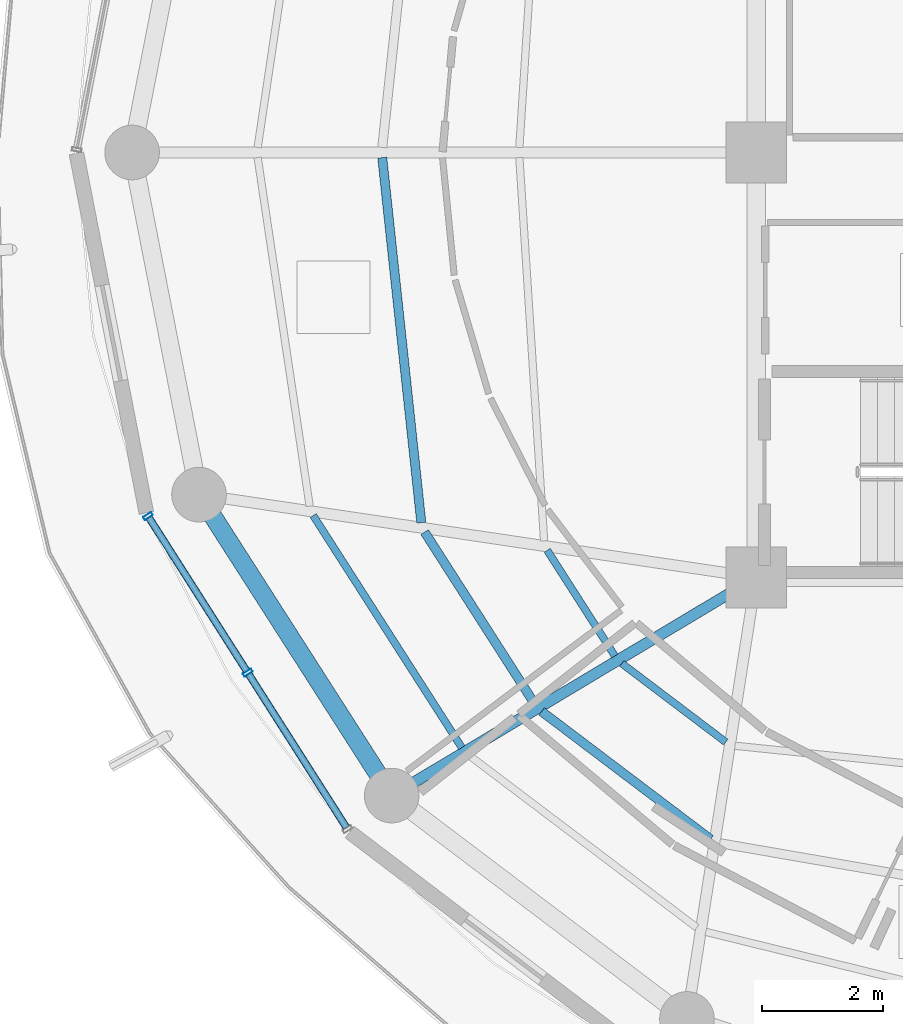
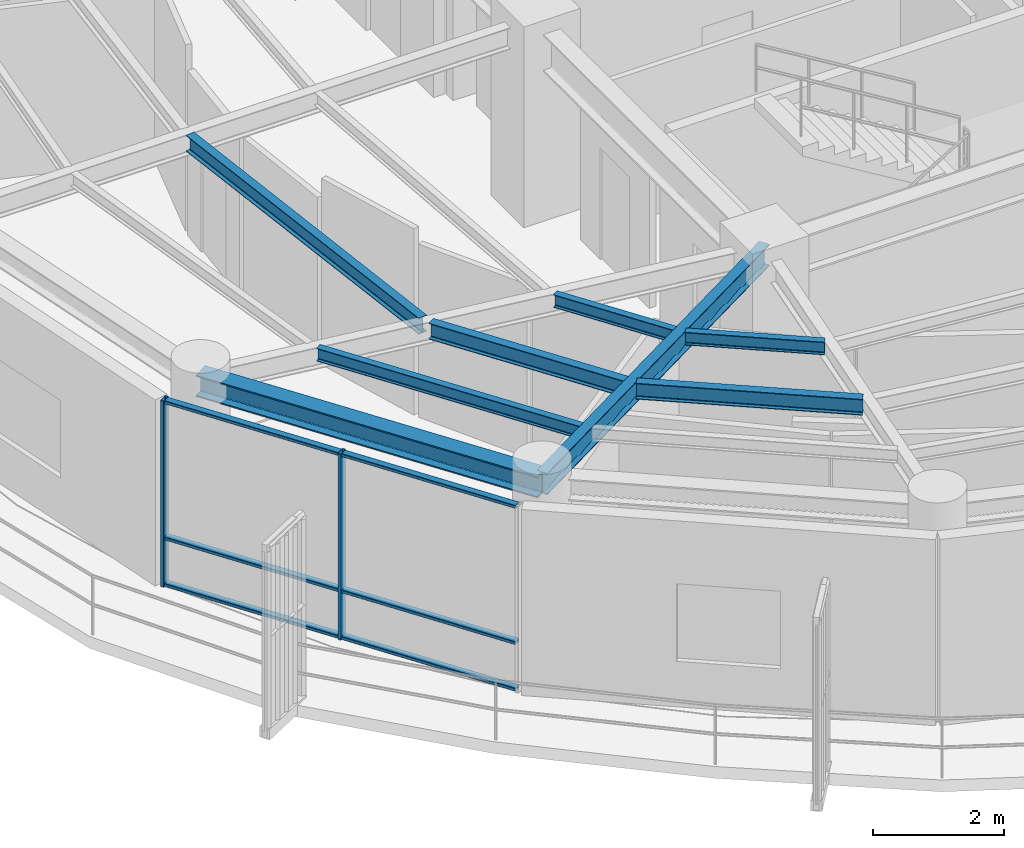
# One storey, part 3 of 23: 8 beams, 8 members, 1 element without a shape of its own.
"""IFC4 building model written with IfcOpenShell, lengths in metres."""

from ifc_helpers import new_model, si_unit, direction, frame, origin, origin_2d, place, context, subcontext, project, spatial, hollow_rectangle, i_section, extrude, material, layer, layer_set, material_profile, profile_set, type_object, element, aggregate, save


model = new_model("IFC4")

# Units and contexts
model_context = context("Model", 3, precision=1e-05, world=origin(), true_north=direction((0.0, 1.0)))
body_context = subcontext(model_context, "Body", "Model", "MODEL_VIEW")
ifc_project = project(units=[si_unit("LENGTHUNIT", "METRE"), si_unit("AREAUNIT", "SQUARE_METRE"), si_unit("VOLUMEUNIT", "CUBIC_METRE"), si_unit("PLANEANGLEUNIT", "RADIAN"), si_unit("MASSUNIT", "GRAM", prefix="KILO")], contexts=[model_context])

# Site, building, storey
site_placement = place(None, origin())
site = spatial("IfcSite", under=ifc_project, at=site_placement, CompositionType="ELEMENT")
building_placement = place(site_placement, origin())
building = spatial("IfcBuilding", under=site, at=building_placement, Name="Kelanora Arch Commons", CompositionType="ELEMENT")
storey_placement = place(building_placement, frame((0.0, 0.0, 286.199951171875)))
storey = spatial("IfcBuildingStorey", under=building, at=storey_placement, Name="L73", CompositionType="ELEMENT", Elevation=286.199951171875)

# Beams
ifc_material_1 = material(Name="Steel S355", Category="steel")
ifc_material_profile_1 = material_profile(ifc_material_1, i_section(OverallWidth=0.14990234375, OverallDepth=0.300048828125, WebThickness=0.007080078125, FlangeThickness=0.0107421875, FilletRadius=0.014892578125, at=origin_2d()), Name="IPE300")
ifc_profile_set_1 = profile_set([ifc_material_profile_1], Name="Steel S355")
beam_type_1 = type_object("IfcBeamType", Name="BM-JST-01", PredefinedType="JOIST", material=ifc_profile_set_1)
beam_1_placement = place(storey_placement, frame((59.841064453125, 57.91552734375, 3.340087890625), z_axis=(0.106380594087, -0.994325484538, 0.0), x_axis=(0.994325484538, 0.106380594087, 0.0)))
element("IfcBeam", 1, at=beam_1_placement, inside=storey, type_object=beam_type_1, Name="Secondary Chord Joist BJB-18 L73", PredefinedType="JOIST", context=body_context, shape_type="SweptSolid", body=[
    extrude(i_section(OverallWidth=0.14990234375, OverallDepth=0.300048828125, WebThickness=0.007080078125, FlangeThickness=0.0107421875, FilletRadius=0.014892578125, at=origin_2d()), origin(), (0.0, 0.0, 1.0), 6.04736328125),
])
beam_2_placement = place(storey_placement, frame((60.539306640625, 51.74658203125, 3.340087890625), z_axis=(0.539321586177, -0.842099891155, 0.0), x_axis=(0.842099891155, 0.539321586177, 0.0)))
element("IfcBeam", 2, at=beam_2_placement, inside=storey, type_object=beam_type_1, Name="Secondary Chord Joist BJB-20 L73", PredefinedType="JOIST", context=body_context, shape_type="SweptSolid", body=[
    extrude(i_section(OverallWidth=0.14990234375, OverallDepth=0.300048828125, WebThickness=0.007080078125, FlangeThickness=0.0107421875, FilletRadius=0.014892578125, at=origin_2d()), origin(), (0.0, 0.0, 1.0), 3.361572265625),
])
beam_3_placement = place(storey_placement, frame((62.4658203125, 48.79296875, 3.340087890625), z_axis=(0.797499198801, -0.603320004568, 0.0), x_axis=(0.603320004568, 0.797499198801, 0.0)))
element("IfcBeam", 3, at=beam_3_placement, inside=storey, type_object=beam_type_1, Name="Secondary Chord Joist BJB-22 L73", PredefinedType="JOIST", context=body_context, shape_type="SweptSolid", body=[
    extrude(i_section(OverallWidth=0.14990234375, OverallDepth=0.300048828125, WebThickness=0.007080078125, FlangeThickness=0.0107421875, FilletRadius=0.014892578125, at=origin_2d()), origin(), (0.0, 0.0, 1.0), 3.489013671875),
])
ifc_material_profile_2 = material_profile(ifc_material_1, i_section(OverallWidth=0.1201171875, OverallDepth=0.239990234375, WebThickness=0.006103515625, FlangeThickness=0.009765625, FilletRadius=0.014892578125, at=origin_2d()), Name="IPE240")
ifc_profile_set_2 = profile_set([ifc_material_profile_2], Name="Steel S355")
beam_type_2 = type_object("IfcBeamType", Name="BM-JST-02", PredefinedType="JOIST", material=ifc_profile_set_2)
beam_4_placement = place(storey_placement, frame((62.558349609375, 51.446533203125, 3.3701171875), z_axis=(0.539311810315, -0.842106152011, 0.0), x_axis=(0.842106152011, 0.539311810315, 0.0)))
element("IfcBeam", 4, at=beam_4_placement, inside=storey, type_object=beam_type_2, Name="Secondary Chord Joist BJA-20 L73", PredefinedType="JOIST", context=body_context, shape_type="SweptSolid", body=[
    extrude(i_section(OverallWidth=0.1201171875, OverallDepth=0.239990234375, WebThickness=0.006103515625, FlangeThickness=0.009765625, FilletRadius=0.014892578125, at=origin_2d()), origin(), (0.0, 0.0, 1.0), 2.06640625),
])
beam_5_placement = place(storey_placement, frame((58.703857421875, 52.019287109375, 3.3701171875), z_axis=(0.539288735289, -0.842120929552, 0.0), x_axis=(0.842120929552, 0.539288735289, 0.0)))
element("IfcBeam", 5, at=beam_5_placement, inside=storey, type_object=beam_type_2, Name="Secondary Chord Joist BJC-20 L73", PredefinedType="JOIST", context=body_context, shape_type="SweptSolid", body=[
    extrude(i_section(OverallWidth=0.1201171875, OverallDepth=0.239990234375, WebThickness=0.006103515625, FlangeThickness=0.009765625, FilletRadius=0.014892578125, at=origin_2d()), origin(), (0.0, 0.0, 1.0), 4.538818359375),
])
beam_6_placement = place(storey_placement, frame((63.78662109375, 49.583251953125, 3.3701171875), z_axis=(0.797509883882, -0.603305880222, 0.0), x_axis=(0.603305880222, 0.797509883882, 0.0)))
element("IfcBeam", 6, at=beam_6_placement, inside=storey, type_object=beam_type_2, Name="Secondary Chord Joist BJA-22 L73", PredefinedType="JOIST", context=body_context, shape_type="SweptSolid", body=[
    extrude(i_section(OverallWidth=0.1201171875, OverallDepth=0.239990234375, WebThickness=0.006103515625, FlangeThickness=0.009765625, FilletRadius=0.014892578125, at=origin_2d()), origin(), (0.0, 0.0, 1.0), 2.147216796875),
])
ifc_material_profile_3 = material_profile(ifc_material_1, i_section(OverallWidth=0.179931640625, OverallDepth=0.39990234375, WebThickness=0.008544921875, FlangeThickness=0.013427734375, FilletRadius=0.02099609375, at=origin_2d()), Name="IPE400")
ifc_profile_set_3 = profile_set([ifc_material_profile_3], Name="Steel S355")
beam_type_3 = type_object("IfcBeamType", Name="BM-RAD-Z5", PredefinedType="BEAM", material=ifc_profile_set_3)
beam_7_placement = place(storey_placement, frame((66.0, 51.0, 3.2900390625), z_axis=(-0.858062005744, -0.513546097541, 0.0), x_axis=(0.513546097541, -0.858062005744, 0.0)))
element("IfcBeam", 7, at=beam_7_placement, inside=storey, type_object=beam_type_3, Name="Radial Floor Girder BR-22 L73", PredefinedType="BEAM", context=body_context, shape_type="SweptSolid", body=[
    extrude(i_section(OverallWidth=0.179931640625, OverallDepth=0.39990234375, WebThickness=0.008544921875, FlangeThickness=0.013427734375, FilletRadius=0.02099609375, at=origin_2d()), origin(), (0.0, 0.0, 1.0), 6.99658203125),
])
ifc_material_profile_4 = material_profile(ifc_material_1, i_section(OverallWidth=0.300048828125, OverallDepth=0.39990234375, WebThickness=0.013427734375, FlangeThickness=0.02392578125, FilletRadius=0.027099609375, at=origin_2d()), Name="HEB400")
ifc_profile_set_4 = profile_set([ifc_material_profile_4], Name="Steel S355")
beam_type_4 = type_object("IfcBeamType", Name="BM-SPN-Z4", PredefinedType="SPANDREL", material=ifc_profile_set_4)
beam_8_placement = place(storey_placement, frame((56.822509765625, 52.363525390625, 3.2900390625), z_axis=(0.539280851353, -0.842125978322, 0.0), x_axis=(0.842125978322, 0.539280851353, 0.0)))
element("IfcBeam", 8, at=beam_8_placement, inside=storey, type_object=beam_type_4, Name="Perimeter Spandrel Beam BS-20 L73", PredefinedType="SPANDREL", context=body_context, shape_type="SweptSolid", body=[
    extrude(i_section(OverallWidth=0.300048828125, OverallDepth=0.39990234375, WebThickness=0.013427734375, FlangeThickness=0.02392578125, FilletRadius=0.027099609375, at=origin_2d()), origin(), (0.0, 0.0, 1.0), 5.8857421875),
])

# Curtain wall, members
ifc_material_2 = material(Name="Terracotta ceramic-fritted low-E glass and aluminium", Category="masonry")
ifc_layer = layer(ifc_material_2, 0.18994140625)
ifc_layer_set = layer_set([ifc_layer], Name="Terracotta ceramic-fritted low-E glass and aluminium")
curtain_wall_type = type_object("IfcCurtainWallType", Name="CW-SYS-03", PredefinedType="NOTDEFINED", material=ifc_layer_set)
curtain_wall_placement = place(storey_placement, origin())
curtain_wall = element("IfcCurtainWall", 9, at=curtain_wall_placement, inside=storey, type_object=curtain_wall_type, Name="Unitised Curtain Wall L73-B10", PredefinedType="NOTDEFINED")
ifc_material_3 = material(Name="Powder-coated aluminium terracotta", Category="masonry")
ifc_material_profile_5 = material_profile(ifc_material_3, hollow_rectangle(XDim=0.159912109375, YDim=0.06005859375, WallThickness=0.0048828125, InnerFilletRadius=0.0048828125, OuterFilletRadius=0.010009765625, at=origin_2d()), Name="CWM160x60")
ifc_profile_set_5 = profile_set([ifc_material_profile_5], Name="Powder-coated aluminium terracotta")
member_type_1 = type_object("IfcMemberType", Name="CWM-STD", PredefinedType="MULLION", material=ifc_profile_set_5)
member_1_placement = place(storey_placement, frame((55.982177734375, 52.0107421875, 0.0), z_axis=(0.0, 0.0, 1.0), x_axis=(0.843391314545, 0.537299814397, 0.0)))
member_1 = element("IfcMember", 10, at=member_1_placement, type_object=member_type_1, Name="CW-03 mullion 1", PredefinedType="MULLION", context=body_context, shape_type="SweptSolid", body=[
    extrude(hollow_rectangle(XDim=0.159912109375, YDim=0.06005859375, WallThickness=0.0048828125, InnerFilletRadius=0.0048828125, OuterFilletRadius=0.010009765625, at=origin_2d()), origin(), (0.0, 0.0, 1.0), 3.47509765625),
])
member_2_placement = place(storey_placement, frame((57.625, 49.43212890625, 0.0), z_axis=(0.0, 0.0, 1.0), x_axis=(0.843391314545, 0.537299814397, 0.0)))
member_2 = element("IfcMember", 11, at=member_2_placement, type_object=member_type_1, Name="CW-03 mullion 2", PredefinedType="MULLION", context=body_context, shape_type="SweptSolid", body=[
    extrude(hollow_rectangle(XDim=0.159912109375, YDim=0.06005859375, WallThickness=0.0048828125, InnerFilletRadius=0.0048828125, OuterFilletRadius=0.010009765625, at=origin_2d()), origin(), (0.0, 0.0, 1.0), 3.47509765625),
])
ifc_material_profile_6 = material_profile(ifc_material_3, hollow_rectangle(XDim=0.1201171875, YDim=0.06005859375, WallThickness=0.0048828125, InnerFilletRadius=0.0048828125, OuterFilletRadius=0.010009765625, at=origin_2d()), Name="CWT120x60")
ifc_profile_set_6 = profile_set([ifc_material_profile_6], Name="Powder-coated aluminium terracotta")
member_type_2 = type_object("IfcMemberType", Name="CWT-STD", PredefinedType="USERDEFINED", material=ifc_profile_set_6)
member_3_placement = place(storey_placement, frame((55.998291015625, 51.985595703125, 0.030029296875), z_axis=(0.537307571338, -0.843386372775, 0.0), x_axis=(0.843386372775, 0.537307571338, 0.0)))
member_3 = element("IfcMember", 12, at=member_3_placement, type_object=member_type_2, Name="CW-03 transom 1.1", ObjectType="TRANSOM", PredefinedType="USERDEFINED", context=body_context, shape_type="SweptSolid", body=[
    extrude(hollow_rectangle(XDim=0.1201171875, YDim=0.06005859375, WallThickness=0.0048828125, InnerFilletRadius=0.0048828125, OuterFilletRadius=0.010009765625, at=origin_2d()), origin(), (0.0, 0.0, 1.0), 2.99755859375),
])
member_4_placement = place(storey_placement, frame((55.998291015625, 51.985595703125, 0.900146484375), z_axis=(0.537307571338, -0.843386372775, 0.0), x_axis=(0.843386372775, 0.537307571338, 0.0)))
member_4 = element("IfcMember", 13, at=member_4_placement, type_object=member_type_2, Name="CW-03 transom 1.2", ObjectType="TRANSOM", PredefinedType="USERDEFINED", context=body_context, shape_type="SweptSolid", body=[
    extrude(hollow_rectangle(XDim=0.1201171875, YDim=0.06005859375, WallThickness=0.0048828125, InnerFilletRadius=0.0048828125, OuterFilletRadius=0.010009765625, at=origin_2d()), origin(), (0.0, 0.0, 1.0), 2.99755859375),
])
member_5_placement = place(storey_placement, frame((55.998291015625, 51.985595703125, 3.445068359375), z_axis=(0.537307571338, -0.843386372775, 0.0), x_axis=(0.843386372775, 0.537307571338, 0.0)))
member_5 = element("IfcMember", 14, at=member_5_placement, type_object=member_type_2, Name="CW-03 transom 1.3", ObjectType="TRANSOM", PredefinedType="USERDEFINED", context=body_context, shape_type="SweptSolid", body=[
    extrude(hollow_rectangle(XDim=0.1201171875, YDim=0.06005859375, WallThickness=0.0048828125, InnerFilletRadius=0.0048828125, OuterFilletRadius=0.010009765625, at=origin_2d()), origin(), (0.0, 0.0, 1.0), 2.99755859375),
])
member_6_placement = place(storey_placement, frame((57.64111328125, 49.40673828125, 0.030029296875), z_axis=(0.537286543791, -0.84339976871, 0.0), x_axis=(0.84339976871, 0.537286543791, 0.0)))
member_6 = element("IfcMember", 15, at=member_6_placement, type_object=member_type_2, Name="CW-03 transom 2.1", ObjectType="TRANSOM", PredefinedType="USERDEFINED", context=body_context, shape_type="SweptSolid", body=[
    extrude(hollow_rectangle(XDim=0.1201171875, YDim=0.06005859375, WallThickness=0.0048828125, InnerFilletRadius=0.0048828125, OuterFilletRadius=0.010009765625, at=origin_2d()), origin(), (0.0, 0.0, 1.0), 2.997314453125),
])
member_7_placement = place(storey_placement, frame((57.64111328125, 49.40673828125, 0.900146484375), z_axis=(0.537286543791, -0.84339976871, 0.0), x_axis=(0.84339976871, 0.537286543791, 0.0)))
member_7 = element("IfcMember", 16, at=member_7_placement, type_object=member_type_2, Name="CW-03 transom 2.2", ObjectType="TRANSOM", PredefinedType="USERDEFINED", context=body_context, shape_type="SweptSolid", body=[
    extrude(hollow_rectangle(XDim=0.1201171875, YDim=0.06005859375, WallThickness=0.0048828125, InnerFilletRadius=0.0048828125, OuterFilletRadius=0.010009765625, at=origin_2d()), origin(), (0.0, 0.0, 1.0), 2.997314453125),
])
member_8_placement = place(storey_placement, frame((57.64111328125, 49.40673828125, 3.445068359375), z_axis=(0.537286543791, -0.84339976871, 0.0), x_axis=(0.84339976871, 0.537286543791, 0.0)))
member_8 = element("IfcMember", 17, at=member_8_placement, type_object=member_type_2, Name="CW-03 transom 2.3", ObjectType="TRANSOM", PredefinedType="USERDEFINED", context=body_context, shape_type="SweptSolid", body=[
    extrude(hollow_rectangle(XDim=0.1201171875, YDim=0.06005859375, WallThickness=0.0048828125, InnerFilletRadius=0.0048828125, OuterFilletRadius=0.010009765625, at=origin_2d()), origin(), (0.0, 0.0, 1.0), 2.997314453125),
])
aggregate(curtain_wall, [member_1, member_2, member_3, member_4, member_5, member_6, member_7, member_8])

save(model, "model.ifc")
